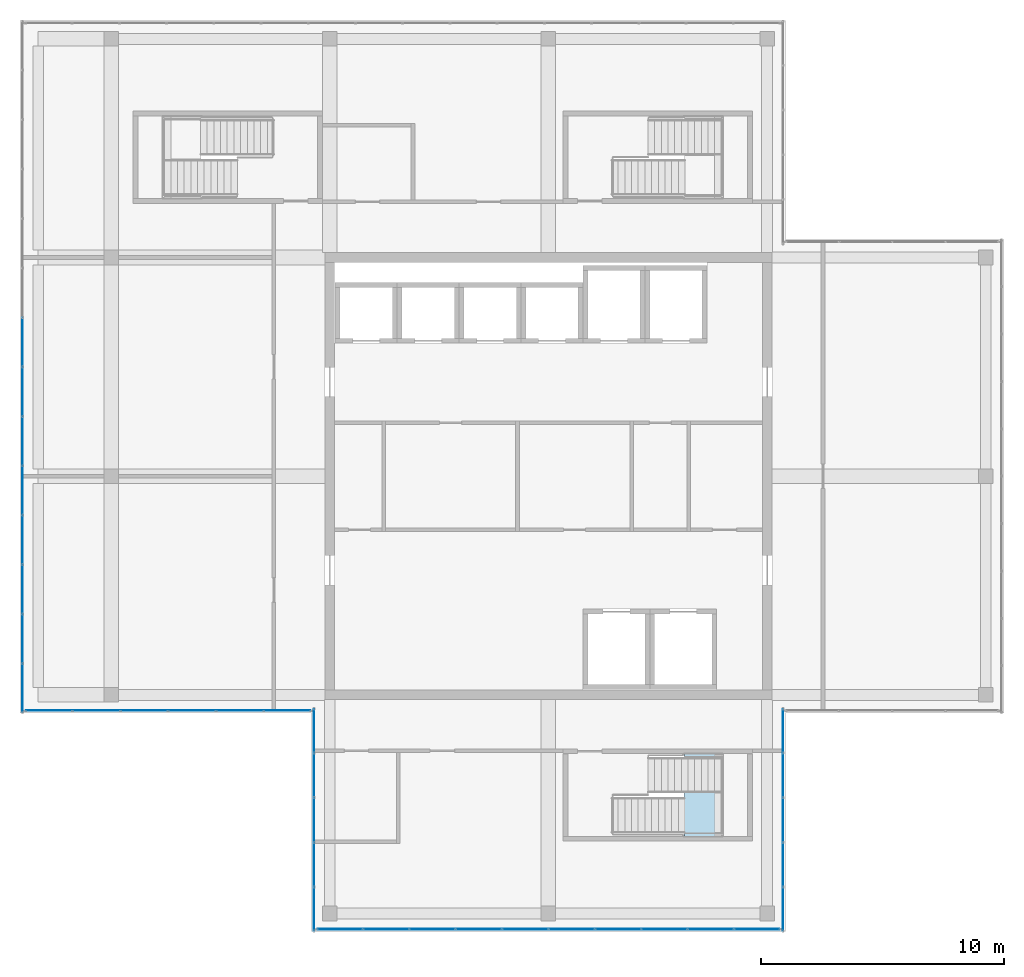
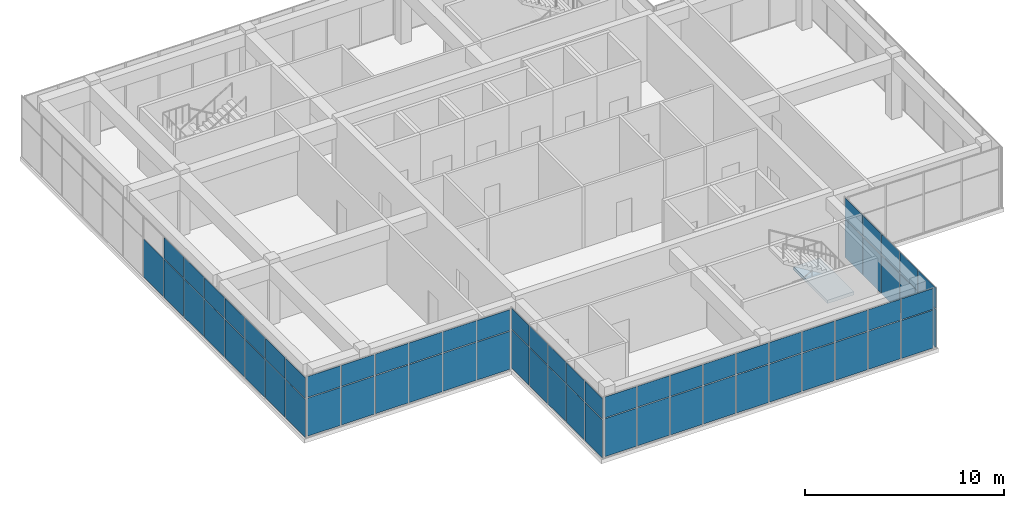
# One storey, part 29 of 35: 67 plates, 1 slab, 6 elements without a shape of their own.
"""IFC4 building model written with IfcOpenShell, lengths in metres."""

from ifc_helpers import new_model, si_unit, direction, frame, origin, origin_2d, place, context, subcontext, project, spatial, polyline, rectangle, outline, extrude, material, layer, layer_set, type_object, element, aggregate, save


model = new_model("IFC4")

# Units and contexts
model_context = context("Model", 3, precision=1e-05, world=origin(), true_north=direction((0.0, 1.0)))
body_context = subcontext(model_context, "Body", "Model", "MODEL_VIEW")
ifc_project = project(units=[si_unit("LENGTHUNIT", "METRE"), si_unit("AREAUNIT", "SQUARE_METRE"), si_unit("VOLUMEUNIT", "CUBIC_METRE"), si_unit("PLANEANGLEUNIT", "RADIAN"), si_unit("MASSUNIT", "GRAM", prefix="KILO")], contexts=[model_context])

# Site, building, storey
site_placement = place(None, origin())
site = spatial("IfcSite", under=ifc_project, at=site_placement, CompositionType="ELEMENT")
building_placement = place(site_placement, origin())
building = spatial("IfcBuilding", under=site, at=building_placement, Name="Tuart Plaza Theatre", CompositionType="ELEMENT")
storey_placement = place(building_placement, frame((0.0, 0.0, 45.5)))
storey = spatial("IfcBuildingStorey", under=building, at=storey_placement, Name="L11", CompositionType="ELEMENT", Elevation=45.5)

# Curtain wall, plates
ifc_material_1 = material(Name="Aluminium and glass", Category="aluminium")
ifc_layer_1 = layer(ifc_material_1, 0.10009765625)
ifc_layer_set_1 = layer_set([ifc_layer_1], Name="CURTAIN WALL 2000 module")
curtain_wall_type = type_object("IfcCurtainWallType", Name="CURTAIN WALL 2000 module", PredefinedType="NOTDEFINED", material=ifc_layer_set_1)
curtain_wall_1_placement = place(storey_placement, origin())
curtain_wall_1 = element("IfcCurtainWall", 1, at=curtain_wall_1_placement, inside=storey, type_object=curtain_wall_type, Name="CW100", PredefinedType="NOTDEFINED")
ifc_material_2 = material(Name="Glass", Category="glass")
ifc_layer_2 = layer(ifc_material_2, 0.028076171875)
ifc_layer_set_2 = layer_set([ifc_layer_2], Name="CURTAIN PANEL double glazed 28")
plate_type = type_object("IfcPlateType", Name="CURTAIN PANEL double glazed 28", PredefinedType="CURTAIN_PANEL", material=ifc_layer_set_2)
plate_1_placement = place(storey_placement, frame((141.64990234375, 56.1826171875, 0.0498046875), z_axis=(0.0, 0.0, 1.0), x_axis=(0.0, 1.0, 0.0)))
plate_1 = element("IfcPlate", 2, at=plate_1_placement, type_object=plate_type, Name="CW100 panel 1.1", PredefinedType="CURTAIN_PANEL", context=body_context, shape_type="SweptSolid", body=[
    extrude(rectangle(XDim=1.764892578125, YDim=0.028076171875, at=origin_2d()), origin(), (0.0, 0.0, 1.0), 2.324951171875),
])
plate_2_placement = place(storey_placement, frame((141.64990234375, 56.1826171875, 2.425048828125), z_axis=(0.0, 0.0, 1.0), x_axis=(0.0, 1.0, 0.0)))
plate_2 = element("IfcPlate", 3, at=plate_2_placement, type_object=plate_type, Name="CW100 panel 1.2", PredefinedType="CURTAIN_PANEL", context=body_context, shape_type="SweptSolid", body=[
    extrude(rectangle(XDim=1.764892578125, YDim=0.028076171875, at=origin_2d()), origin(), (0.0, 0.0, 1.0), 1.27490234375),
])
plate_3_placement = place(storey_placement, frame((141.64990234375, 58.010009765625, 0.0498046875), z_axis=(0.0, 0.0, 1.0), x_axis=(0.0, 1.0, 0.0)))
plate_3 = element("IfcPlate", 4, at=plate_3_placement, type_object=plate_type, Name="CW100 panel 2.1", PredefinedType="CURTAIN_PANEL", context=body_context, shape_type="SweptSolid", body=[
    extrude(rectangle(XDim=1.7900390625, YDim=0.028076171875, at=origin_2d()), origin(), (0.0, 0.0, 1.0), 2.324951171875),
])
plate_4_placement = place(storey_placement, frame((141.64990234375, 58.010009765625, 2.425048828125), z_axis=(0.0, 0.0, 1.0), x_axis=(0.0, 1.0, 0.0)))
plate_4 = element("IfcPlate", 5, at=plate_4_placement, type_object=plate_type, Name="CW100 panel 2.2", PredefinedType="CURTAIN_PANEL", context=body_context, shape_type="SweptSolid", body=[
    extrude(rectangle(XDim=1.7900390625, YDim=0.028076171875, at=origin_2d()), origin(), (0.0, 0.0, 1.0), 1.27490234375),
])
plate_5_placement = place(storey_placement, frame((141.64990234375, 59.85009765625, 0.0498046875), z_axis=(0.0, 0.0, 1.0), x_axis=(0.0, 1.0, 0.0)))
plate_5 = element("IfcPlate", 6, at=plate_5_placement, type_object=plate_type, Name="CW100 panel 3.1", PredefinedType="CURTAIN_PANEL", context=body_context, shape_type="SweptSolid", body=[
    extrude(rectangle(XDim=1.7900390625, YDim=0.028076171875, at=origin_2d()), origin(), (0.0, 0.0, 1.0), 2.324951171875),
])
plate_6_placement = place(storey_placement, frame((141.64990234375, 59.85009765625, 2.425048828125), z_axis=(0.0, 0.0, 1.0), x_axis=(0.0, 1.0, 0.0)))
plate_6 = element("IfcPlate", 7, at=plate_6_placement, type_object=plate_type, Name="CW100 panel 3.2", PredefinedType="CURTAIN_PANEL", context=body_context, shape_type="SweptSolid", body=[
    extrude(rectangle(XDim=1.7900390625, YDim=0.028076171875, at=origin_2d()), origin(), (0.0, 0.0, 1.0), 1.27490234375),
])
plate_7_placement = place(storey_placement, frame((141.64990234375, 61.68994140625, 0.0498046875), z_axis=(0.0, 0.0, 1.0), x_axis=(0.0, 1.0, 0.0)))
plate_7 = element("IfcPlate", 8, at=plate_7_placement, type_object=plate_type, Name="CW100 panel 4.1", PredefinedType="CURTAIN_PANEL", context=body_context, shape_type="SweptSolid", body=[
    extrude(rectangle(XDim=1.7900390625, YDim=0.028076171875, at=origin_2d()), origin(), (0.0, 0.0, 1.0), 2.324951171875),
])
plate_8_placement = place(storey_placement, frame((141.64990234375, 61.68994140625, 2.425048828125), z_axis=(0.0, 0.0, 1.0), x_axis=(0.0, 1.0, 0.0)))
plate_8 = element("IfcPlate", 9, at=plate_8_placement, type_object=plate_type, Name="CW100 panel 4.2", PredefinedType="CURTAIN_PANEL", context=body_context, shape_type="SweptSolid", body=[
    extrude(rectangle(XDim=1.7900390625, YDim=0.028076171875, at=origin_2d()), origin(), (0.0, 0.0, 1.0), 1.27490234375),
])
plate_9_placement = place(storey_placement, frame((141.64990234375, 63.517578125, 0.0498046875), z_axis=(0.0, 0.0, 1.0), x_axis=(0.0, 1.0, 0.0)))
plate_9 = element("IfcPlate", 10, at=plate_9_placement, type_object=plate_type, Name="CW100 panel 5.1", PredefinedType="CURTAIN_PANEL", context=body_context, shape_type="SweptSolid", body=[
    extrude(rectangle(XDim=1.764892578125, YDim=0.028076171875, at=origin_2d()), origin(), (0.0, 0.0, 1.0), 2.324951171875),
])
plate_10_placement = place(storey_placement, frame((141.64990234375, 63.517578125, 2.425048828125), z_axis=(0.0, 0.0, 1.0), x_axis=(0.0, 1.0, 0.0)))
plate_10 = element("IfcPlate", 11, at=plate_10_placement, type_object=plate_type, Name="CW100 panel 5.2", PredefinedType="CURTAIN_PANEL", context=body_context, shape_type="SweptSolid", body=[
    extrude(rectangle(XDim=1.764892578125, YDim=0.028076171875, at=origin_2d()), origin(), (0.0, 0.0, 1.0), 1.27490234375),
])
aggregate(curtain_wall_1, [plate_1, plate_2, plate_3, plate_4, plate_5, plate_6, plate_7, plate_8, plate_9, plate_10])

curtain_wall_2_placement = place(storey_placement, origin())
curtain_wall_2 = element("IfcCurtainWall", 12, at=curtain_wall_2_placement, inside=storey, type_object=curtain_wall_type, Name="CW106", PredefinedType="NOTDEFINED")
plate_11_placement = place(storey_placement, frame((110.35009765625, 79.517822265625, 0.0498046875), z_axis=(0.0, 0.0, 1.0), x_axis=(0.0, -1.0, 0.0)))
plate_11 = element("IfcPlate", 13, at=plate_11_placement, type_object=plate_type, Name="CW106 panel 7.1", PredefinedType="CURTAIN_PANEL", context=body_context, shape_type="SweptSolid", body=[
    extrude(rectangle(XDim=1.985595703125, YDim=0.028076171875, at=origin_2d()), origin(), (0.0, 0.0, 1.0), 2.324951171875),
])
plate_12_placement = place(storey_placement, frame((110.35009765625, 77.482177734375, 0.0498046875), z_axis=(0.0, 0.0, 1.0), x_axis=(0.0, -1.0, 0.0)))
plate_12 = element("IfcPlate", 14, at=plate_12_placement, type_object=plate_type, Name="CW106 panel 8.1", PredefinedType="CURTAIN_PANEL", context=body_context, shape_type="SweptSolid", body=[
    extrude(rectangle(XDim=1.985595703125, YDim=0.028076171875, at=origin_2d()), origin(), (0.0, 0.0, 1.0), 2.324951171875),
])
plate_13_placement = place(storey_placement, frame((110.35009765625, 77.482177734375, 2.425048828125), z_axis=(0.0, 0.0, 1.0), x_axis=(0.0, -1.0, 0.0)))
plate_13 = element("IfcPlate", 15, at=plate_13_placement, type_object=plate_type, Name="CW106 panel 8.2", PredefinedType="CURTAIN_PANEL", context=body_context, shape_type="SweptSolid", body=[
    extrude(rectangle(XDim=1.985595703125, YDim=0.028076171875, at=origin_2d()), origin(), (0.0, 0.0, 1.0), 1.27490234375),
])
plate_14_placement = place(storey_placement, frame((110.35009765625, 75.446533203125, 0.0498046875), z_axis=(0.0, 0.0, 1.0), x_axis=(0.0, -1.0, 0.0)))
plate_14 = element("IfcPlate", 16, at=plate_14_placement, type_object=plate_type, Name="CW106 panel 9.1", PredefinedType="CURTAIN_PANEL", context=body_context, shape_type="SweptSolid", body=[
    extrude(rectangle(XDim=1.985595703125, YDim=0.028076171875, at=origin_2d()), origin(), (0.0, 0.0, 1.0), 2.324951171875),
])
plate_15_placement = place(storey_placement, frame((110.35009765625, 75.446533203125, 2.425048828125), z_axis=(0.0, 0.0, 1.0), x_axis=(0.0, -1.0, 0.0)))
plate_15 = element("IfcPlate", 17, at=plate_15_placement, type_object=plate_type, Name="CW106 panel 9.2", PredefinedType="CURTAIN_PANEL", context=body_context, shape_type="SweptSolid", body=[
    extrude(rectangle(XDim=1.985595703125, YDim=0.028076171875, at=origin_2d()), origin(), (0.0, 0.0, 1.0), 1.27490234375),
])
plate_16_placement = place(storey_placement, frame((110.35009765625, 73.41064453125, 0.0498046875), z_axis=(0.0, 0.0, 1.0), x_axis=(0.0, -1.0, 0.0)))
plate_16 = element("IfcPlate", 18, at=plate_16_placement, type_object=plate_type, Name="CW106 panel 10.1", PredefinedType="CURTAIN_PANEL", context=body_context, shape_type="SweptSolid", body=[
    extrude(rectangle(XDim=1.985595703125, YDim=0.028076171875, at=origin_2d()), origin(), (0.0, 0.0, 1.0), 2.324951171875),
])
plate_17_placement = place(storey_placement, frame((110.35009765625, 73.41064453125, 2.425048828125), z_axis=(0.0, 0.0, 1.0), x_axis=(0.0, -1.0, 0.0)))
plate_17 = element("IfcPlate", 19, at=plate_17_placement, type_object=plate_type, Name="CW106 panel 10.2", PredefinedType="CURTAIN_PANEL", context=body_context, shape_type="SweptSolid", body=[
    extrude(rectangle(XDim=1.985595703125, YDim=0.028076171875, at=origin_2d()), origin(), (0.0, 0.0, 1.0), 1.27490234375),
])
plate_18_placement = place(storey_placement, frame((110.35009765625, 71.375, 0.0498046875), z_axis=(0.0, 0.0, 1.0), x_axis=(0.0, -1.0, 0.0)))
plate_18 = element("IfcPlate", 20, at=plate_18_placement, type_object=plate_type, Name="CW106 panel 11.1", PredefinedType="CURTAIN_PANEL", context=body_context, shape_type="SweptSolid", body=[
    extrude(rectangle(XDim=1.985595703125, YDim=0.028076171875, at=origin_2d()), origin(), (0.0, 0.0, 1.0), 2.324951171875),
])
plate_19_placement = place(storey_placement, frame((110.35009765625, 71.375, 2.425048828125), z_axis=(0.0, 0.0, 1.0), x_axis=(0.0, -1.0, 0.0)))
plate_19 = element("IfcPlate", 21, at=plate_19_placement, type_object=plate_type, Name="CW106 panel 11.2", PredefinedType="CURTAIN_PANEL", context=body_context, shape_type="SweptSolid", body=[
    extrude(rectangle(XDim=1.985595703125, YDim=0.028076171875, at=origin_2d()), origin(), (0.0, 0.0, 1.0), 1.27490234375),
])
plate_20_placement = place(storey_placement, frame((110.35009765625, 69.33935546875, 0.0498046875), z_axis=(0.0, 0.0, 1.0), x_axis=(0.0, -1.0, 0.0)))
plate_20 = element("IfcPlate", 22, at=plate_20_placement, type_object=plate_type, Name="CW106 panel 12.1", PredefinedType="CURTAIN_PANEL", context=body_context, shape_type="SweptSolid", body=[
    extrude(rectangle(XDim=1.985595703125, YDim=0.028076171875, at=origin_2d()), origin(), (0.0, 0.0, 1.0), 2.324951171875),
])
plate_21_placement = place(storey_placement, frame((110.35009765625, 69.33935546875, 2.425048828125), z_axis=(0.0, 0.0, 1.0), x_axis=(0.0, -1.0, 0.0)))
plate_21 = element("IfcPlate", 23, at=plate_21_placement, type_object=plate_type, Name="CW106 panel 12.2", PredefinedType="CURTAIN_PANEL", context=body_context, shape_type="SweptSolid", body=[
    extrude(rectangle(XDim=1.985595703125, YDim=0.028076171875, at=origin_2d()), origin(), (0.0, 0.0, 1.0), 1.27490234375),
])
plate_22_placement = place(storey_placement, frame((110.35009765625, 67.303466796875, 0.0498046875), z_axis=(0.0, 0.0, 1.0), x_axis=(0.0, -1.0, 0.0)))
plate_22 = element("IfcPlate", 24, at=plate_22_placement, type_object=plate_type, Name="CW106 panel 13.1", PredefinedType="CURTAIN_PANEL", context=body_context, shape_type="SweptSolid", body=[
    extrude(rectangle(XDim=1.985595703125, YDim=0.028076171875, at=origin_2d()), origin(), (0.0, 0.0, 1.0), 2.324951171875),
])
plate_23_placement = place(storey_placement, frame((110.35009765625, 67.303466796875, 2.425048828125), z_axis=(0.0, 0.0, 1.0), x_axis=(0.0, -1.0, 0.0)))
plate_23 = element("IfcPlate", 25, at=plate_23_placement, type_object=plate_type, Name="CW106 panel 13.2", PredefinedType="CURTAIN_PANEL", context=body_context, shape_type="SweptSolid", body=[
    extrude(rectangle(XDim=1.985595703125, YDim=0.028076171875, at=origin_2d()), origin(), (0.0, 0.0, 1.0), 1.27490234375),
])
plate_24_placement = place(storey_placement, frame((110.35009765625, 65.2802734375, 0.0498046875), z_axis=(0.0, 0.0, 1.0), x_axis=(0.0, -1.0, 0.0)))
plate_24 = element("IfcPlate", 26, at=plate_24_placement, type_object=plate_type, Name="CW106 panel 14.1", PredefinedType="CURTAIN_PANEL", context=body_context, shape_type="SweptSolid", body=[
    extrude(rectangle(XDim=1.960693359375, YDim=0.028076171875, at=origin_2d()), origin(), (0.0, 0.0, 1.0), 2.324951171875),
])
plate_25_placement = place(storey_placement, frame((110.35009765625, 65.2802734375, 2.425048828125), z_axis=(0.0, 0.0, 1.0), x_axis=(0.0, -1.0, 0.0)))
plate_25 = element("IfcPlate", 27, at=plate_25_placement, type_object=plate_type, Name="CW106 panel 14.2", PredefinedType="CURTAIN_PANEL", context=body_context, shape_type="SweptSolid", body=[
    extrude(rectangle(XDim=1.960693359375, YDim=0.028076171875, at=origin_2d()), origin(), (0.0, 0.0, 1.0), 1.27490234375),
])
aggregate(curtain_wall_2, [plate_11, plate_12, plate_13, plate_14, plate_15, plate_16, plate_17, plate_18, plate_19, plate_20, plate_21, plate_22, plate_23, plate_24, plate_25])

curtain_wall_3_placement = place(storey_placement, origin())
curtain_wall_3 = element("IfcCurtainWall", 28, at=curtain_wall_3_placement, inside=storey, type_object=curtain_wall_type, Name="CW108", PredefinedType="NOTDEFINED")
plate_26_placement = place(storey_placement, frame((111.44580078125, 64.35009765625, 0.0498046875), z_axis=(0.0, 0.0, 1.0), x_axis=(1.0, 0.0, 0.0)))
plate_26 = element("IfcPlate", 29, at=plate_26_placement, type_object=plate_type, Name="CW108 panel 1.1", PredefinedType="CURTAIN_PANEL", context=body_context, shape_type="SweptSolid", body=[
    extrude(rectangle(XDim=1.8916015625, YDim=0.028076171875, at=origin_2d()), origin(), (0.0, 0.0, 1.0), 2.324951171875),
])
plate_27_placement = place(storey_placement, frame((111.44580078125, 64.35009765625, 2.425048828125), z_axis=(0.0, 0.0, 1.0), x_axis=(1.0, 0.0, 0.0)))
plate_27 = element("IfcPlate", 30, at=plate_27_placement, type_object=plate_type, Name="CW108 panel 1.2", PredefinedType="CURTAIN_PANEL", context=body_context, shape_type="SweptSolid", body=[
    extrude(rectangle(XDim=1.8916015625, YDim=0.028076171875, at=origin_2d()), origin(), (0.0, 0.0, 1.0), 1.27490234375),
])
plate_28_placement = place(storey_placement, frame((113.39990234375, 64.35009765625, 0.0498046875), z_axis=(0.0, 0.0, 1.0), x_axis=(1.0, 0.0, 0.0)))
plate_28 = element("IfcPlate", 31, at=plate_28_placement, type_object=plate_type, Name="CW108 panel 2.1", PredefinedType="CURTAIN_PANEL", context=body_context, shape_type="SweptSolid", body=[
    extrude(rectangle(XDim=1.916748046875, YDim=0.028076171875, at=origin_2d()), origin(), (0.0, 0.0, 1.0), 2.324951171875),
])
plate_29_placement = place(storey_placement, frame((113.39990234375, 64.35009765625, 2.425048828125), z_axis=(0.0, 0.0, 1.0), x_axis=(1.0, 0.0, 0.0)))
plate_29 = element("IfcPlate", 32, at=plate_29_placement, type_object=plate_type, Name="CW108 panel 2.2", PredefinedType="CURTAIN_PANEL", context=body_context, shape_type="SweptSolid", body=[
    extrude(rectangle(XDim=1.916748046875, YDim=0.028076171875, at=origin_2d()), origin(), (0.0, 0.0, 1.0), 1.27490234375),
])
plate_30_placement = place(storey_placement, frame((115.36669921875, 64.35009765625, 0.0498046875), z_axis=(0.0, 0.0, 1.0), x_axis=(1.0, 0.0, 0.0)))
plate_30 = element("IfcPlate", 33, at=plate_30_placement, type_object=plate_type, Name="CW108 panel 3.1", PredefinedType="CURTAIN_PANEL", context=body_context, shape_type="SweptSolid", body=[
    extrude(rectangle(XDim=1.916748046875, YDim=0.028076171875, at=origin_2d()), origin(), (0.0, 0.0, 1.0), 2.324951171875),
])
plate_31_placement = place(storey_placement, frame((115.36669921875, 64.35009765625, 2.425048828125), z_axis=(0.0, 0.0, 1.0), x_axis=(1.0, 0.0, 0.0)))
plate_31 = element("IfcPlate", 34, at=plate_31_placement, type_object=plate_type, Name="CW108 panel 3.2", PredefinedType="CURTAIN_PANEL", context=body_context, shape_type="SweptSolid", body=[
    extrude(rectangle(XDim=1.916748046875, YDim=0.028076171875, at=origin_2d()), origin(), (0.0, 0.0, 1.0), 1.27490234375),
])
plate_32_placement = place(storey_placement, frame((117.333251953125, 64.35009765625, 0.0498046875), z_axis=(0.0, 0.0, 1.0), x_axis=(1.0, 0.0, 0.0)))
plate_32 = element("IfcPlate", 35, at=plate_32_placement, type_object=plate_type, Name="CW108 panel 4.1", PredefinedType="CURTAIN_PANEL", context=body_context, shape_type="SweptSolid", body=[
    extrude(rectangle(XDim=1.916748046875, YDim=0.028076171875, at=origin_2d()), origin(), (0.0, 0.0, 1.0), 2.324951171875),
])
plate_33_placement = place(storey_placement, frame((117.333251953125, 64.35009765625, 2.425048828125), z_axis=(0.0, 0.0, 1.0), x_axis=(1.0, 0.0, 0.0)))
plate_33 = element("IfcPlate", 36, at=plate_33_placement, type_object=plate_type, Name="CW108 panel 4.2", PredefinedType="CURTAIN_PANEL", context=body_context, shape_type="SweptSolid", body=[
    extrude(rectangle(XDim=1.916748046875, YDim=0.028076171875, at=origin_2d()), origin(), (0.0, 0.0, 1.0), 1.27490234375),
])
plate_34_placement = place(storey_placement, frame((119.300048828125, 64.35009765625, 0.0498046875), z_axis=(0.0, 0.0, 1.0), x_axis=(1.0, 0.0, 0.0)))
plate_34 = element("IfcPlate", 37, at=plate_34_placement, type_object=plate_type, Name="CW108 panel 5.1", PredefinedType="CURTAIN_PANEL", context=body_context, shape_type="SweptSolid", body=[
    extrude(rectangle(XDim=1.916748046875, YDim=0.028076171875, at=origin_2d()), origin(), (0.0, 0.0, 1.0), 2.324951171875),
])
plate_35_placement = place(storey_placement, frame((119.300048828125, 64.35009765625, 2.425048828125), z_axis=(0.0, 0.0, 1.0), x_axis=(1.0, 0.0, 0.0)))
plate_35 = element("IfcPlate", 38, at=plate_35_placement, type_object=plate_type, Name="CW108 panel 5.2", PredefinedType="CURTAIN_PANEL", context=body_context, shape_type="SweptSolid", body=[
    extrude(rectangle(XDim=1.916748046875, YDim=0.028076171875, at=origin_2d()), origin(), (0.0, 0.0, 1.0), 1.27490234375),
])
plate_36_placement = place(storey_placement, frame((121.254150390625, 64.35009765625, 0.0498046875), z_axis=(0.0, 0.0, 1.0), x_axis=(1.0, 0.0, 0.0)))
plate_36 = element("IfcPlate", 39, at=plate_36_placement, type_object=plate_type, Name="CW108 panel 6.1", PredefinedType="CURTAIN_PANEL", context=body_context, shape_type="SweptSolid", body=[
    extrude(rectangle(XDim=1.8916015625, YDim=0.028076171875, at=origin_2d()), origin(), (0.0, 0.0, 1.0), 2.324951171875),
])
plate_37_placement = place(storey_placement, frame((121.254150390625, 64.35009765625, 2.425048828125), z_axis=(0.0, 0.0, 1.0), x_axis=(1.0, 0.0, 0.0)))
plate_37 = element("IfcPlate", 40, at=plate_37_placement, type_object=plate_type, Name="CW108 panel 6.2", PredefinedType="CURTAIN_PANEL", context=body_context, shape_type="SweptSolid", body=[
    extrude(rectangle(XDim=1.8916015625, YDim=0.028076171875, at=origin_2d()), origin(), (0.0, 0.0, 1.0), 1.27490234375),
])
aggregate(curtain_wall_3, [plate_26, plate_27, plate_28, plate_29, plate_30, plate_31, plate_32, plate_33, plate_34, plate_35, plate_36, plate_37])

curtain_wall_4_placement = place(storey_placement, origin())
curtain_wall_4 = element("IfcCurtainWall", 41, at=curtain_wall_4_placement, inside=storey, type_object=curtain_wall_type, Name="CW110", PredefinedType="NOTDEFINED")
plate_38_placement = place(storey_placement, frame((122.35009765625, 63.517578125, 0.0498046875), z_axis=(0.0, 0.0, 1.0), x_axis=(0.0, -1.0, 0.0)))
plate_38 = element("IfcPlate", 42, at=plate_38_placement, type_object=plate_type, Name="CW110 panel 1.1", PredefinedType="CURTAIN_PANEL", context=body_context, shape_type="SweptSolid", body=[
    extrude(rectangle(XDim=1.764892578125, YDim=0.028076171875, at=origin_2d()), origin(), (0.0, 0.0, 1.0), 2.324951171875),
])
plate_39_placement = place(storey_placement, frame((122.35009765625, 63.517578125, 2.425048828125), z_axis=(0.0, 0.0, 1.0), x_axis=(0.0, -1.0, 0.0)))
plate_39 = element("IfcPlate", 43, at=plate_39_placement, type_object=plate_type, Name="CW110 panel 1.2", PredefinedType="CURTAIN_PANEL", context=body_context, shape_type="SweptSolid", body=[
    extrude(rectangle(XDim=1.764892578125, YDim=0.028076171875, at=origin_2d()), origin(), (0.0, 0.0, 1.0), 1.27490234375),
])
plate_40_placement = place(storey_placement, frame((122.35009765625, 61.68994140625, 0.0498046875), z_axis=(0.0, 0.0, 1.0), x_axis=(0.0, -1.0, 0.0)))
plate_40 = element("IfcPlate", 44, at=plate_40_placement, type_object=plate_type, Name="CW110 panel 2.1", PredefinedType="CURTAIN_PANEL", context=body_context, shape_type="SweptSolid", body=[
    extrude(rectangle(XDim=1.7900390625, YDim=0.028076171875, at=origin_2d()), origin(), (0.0, 0.0, 1.0), 2.324951171875),
])
plate_41_placement = place(storey_placement, frame((122.35009765625, 61.68994140625, 2.425048828125), z_axis=(0.0, 0.0, 1.0), x_axis=(0.0, -1.0, 0.0)))
plate_41 = element("IfcPlate", 45, at=plate_41_placement, type_object=plate_type, Name="CW110 panel 2.2", PredefinedType="CURTAIN_PANEL", context=body_context, shape_type="SweptSolid", body=[
    extrude(rectangle(XDim=1.7900390625, YDim=0.028076171875, at=origin_2d()), origin(), (0.0, 0.0, 1.0), 1.27490234375),
])
plate_42_placement = place(storey_placement, frame((122.35009765625, 59.85009765625, 0.0498046875), z_axis=(0.0, 0.0, 1.0), x_axis=(0.0, -1.0, 0.0)))
plate_42 = element("IfcPlate", 46, at=plate_42_placement, type_object=plate_type, Name="CW110 panel 3.1", PredefinedType="CURTAIN_PANEL", context=body_context, shape_type="SweptSolid", body=[
    extrude(rectangle(XDim=1.7900390625, YDim=0.028076171875, at=origin_2d()), origin(), (0.0, 0.0, 1.0), 2.324951171875),
])
plate_43_placement = place(storey_placement, frame((122.35009765625, 59.85009765625, 2.425048828125), z_axis=(0.0, 0.0, 1.0), x_axis=(0.0, -1.0, 0.0)))
plate_43 = element("IfcPlate", 47, at=plate_43_placement, type_object=plate_type, Name="CW110 panel 3.2", PredefinedType="CURTAIN_PANEL", context=body_context, shape_type="SweptSolid", body=[
    extrude(rectangle(XDim=1.7900390625, YDim=0.028076171875, at=origin_2d()), origin(), (0.0, 0.0, 1.0), 1.27490234375),
])
plate_44_placement = place(storey_placement, frame((122.35009765625, 58.010009765625, 0.0498046875), z_axis=(0.0, 0.0, 1.0), x_axis=(0.0, -1.0, 0.0)))
plate_44 = element("IfcPlate", 48, at=plate_44_placement, type_object=plate_type, Name="CW110 panel 4.1", PredefinedType="CURTAIN_PANEL", context=body_context, shape_type="SweptSolid", body=[
    extrude(rectangle(XDim=1.7900390625, YDim=0.028076171875, at=origin_2d()), origin(), (0.0, 0.0, 1.0), 2.324951171875),
])
plate_45_placement = place(storey_placement, frame((122.35009765625, 58.010009765625, 2.425048828125), z_axis=(0.0, 0.0, 1.0), x_axis=(0.0, -1.0, 0.0)))
plate_45 = element("IfcPlate", 49, at=plate_45_placement, type_object=plate_type, Name="CW110 panel 4.2", PredefinedType="CURTAIN_PANEL", context=body_context, shape_type="SweptSolid", body=[
    extrude(rectangle(XDim=1.7900390625, YDim=0.028076171875, at=origin_2d()), origin(), (0.0, 0.0, 1.0), 1.27490234375),
])
plate_46_placement = place(storey_placement, frame((122.35009765625, 56.1826171875, 0.0498046875), z_axis=(0.0, 0.0, 1.0), x_axis=(0.0, -1.0, 0.0)))
plate_46 = element("IfcPlate", 50, at=plate_46_placement, type_object=plate_type, Name="CW110 panel 5.1", PredefinedType="CURTAIN_PANEL", context=body_context, shape_type="SweptSolid", body=[
    extrude(rectangle(XDim=1.764892578125, YDim=0.028076171875, at=origin_2d()), origin(), (0.0, 0.0, 1.0), 2.324951171875),
])
plate_47_placement = place(storey_placement, frame((122.35009765625, 56.1826171875, 2.425048828125), z_axis=(0.0, 0.0, 1.0), x_axis=(0.0, -1.0, 0.0)))
plate_47 = element("IfcPlate", 51, at=plate_47_placement, type_object=plate_type, Name="CW110 panel 5.2", PredefinedType="CURTAIN_PANEL", context=body_context, shape_type="SweptSolid", body=[
    extrude(rectangle(XDim=1.764892578125, YDim=0.028076171875, at=origin_2d()), origin(), (0.0, 0.0, 1.0), 1.27490234375),
])
aggregate(curtain_wall_4, [plate_38, plate_39, plate_40, plate_41, plate_42, plate_43, plate_44, plate_45, plate_46, plate_47])

curtain_wall_5_placement = place(storey_placement, origin())
curtain_wall_5 = element("IfcCurtainWall", 52, at=curtain_wall_5_placement, inside=storey, type_object=curtain_wall_type, Name="CW111", PredefinedType="NOTDEFINED")
plate_48_placement = place(storey_placement, frame((123.41748046875, 55.35009765625, 0.0498046875), z_axis=(0.0, 0.0, 1.0), x_axis=(1.0, 0.0, 0.0)))
plate_48 = element("IfcPlate", 53, at=plate_48_placement, type_object=plate_type, Name="CW111 panel 1.1", PredefinedType="CURTAIN_PANEL", context=body_context, shape_type="SweptSolid", body=[
    extrude(rectangle(XDim=1.8349609375, YDim=0.028076171875, at=origin_2d()), origin(), (0.0, 0.0, 1.0), 2.324951171875),
])
plate_49_placement = place(storey_placement, frame((123.41748046875, 55.35009765625, 2.425048828125), z_axis=(0.0, 0.0, 1.0), x_axis=(1.0, 0.0, 0.0)))
plate_49 = element("IfcPlate", 54, at=plate_49_placement, type_object=plate_type, Name="CW111 panel 1.2", PredefinedType="CURTAIN_PANEL", context=body_context, shape_type="SweptSolid", body=[
    extrude(rectangle(XDim=1.8349609375, YDim=0.028076171875, at=origin_2d()), origin(), (0.0, 0.0, 1.0), 1.27490234375),
])
plate_50_placement = place(storey_placement, frame((125.31494140625, 55.35009765625, 0.0498046875), z_axis=(0.0, 0.0, 1.0), x_axis=(1.0, 0.0, 0.0)))
plate_50 = element("IfcPlate", 55, at=plate_50_placement, type_object=plate_type, Name="CW111 panel 2.1", PredefinedType="CURTAIN_PANEL", context=body_context, shape_type="SweptSolid", body=[
    extrude(rectangle(XDim=1.860107421875, YDim=0.028076171875, at=origin_2d()), origin(), (0.0, 0.0, 1.0), 2.324951171875),
])
plate_51_placement = place(storey_placement, frame((125.31494140625, 55.35009765625, 2.425048828125), z_axis=(0.0, 0.0, 1.0), x_axis=(1.0, 0.0, 0.0)))
plate_51 = element("IfcPlate", 56, at=plate_51_placement, type_object=plate_type, Name="CW111 panel 2.2", PredefinedType="CURTAIN_PANEL", context=body_context, shape_type="SweptSolid", body=[
    extrude(rectangle(XDim=1.860107421875, YDim=0.028076171875, at=origin_2d()), origin(), (0.0, 0.0, 1.0), 1.27490234375),
])
plate_52_placement = place(storey_placement, frame((127.22509765625, 55.35009765625, 0.0498046875), z_axis=(0.0, 0.0, 1.0), x_axis=(1.0, 0.0, 0.0)))
plate_52 = element("IfcPlate", 57, at=plate_52_placement, type_object=plate_type, Name="CW111 panel 3.1", PredefinedType="CURTAIN_PANEL", context=body_context, shape_type="SweptSolid", body=[
    extrude(rectangle(XDim=1.860107421875, YDim=0.028076171875, at=origin_2d()), origin(), (0.0, 0.0, 1.0), 2.324951171875),
])
plate_53_placement = place(storey_placement, frame((127.22509765625, 55.35009765625, 2.425048828125), z_axis=(0.0, 0.0, 1.0), x_axis=(1.0, 0.0, 0.0)))
plate_53 = element("IfcPlate", 58, at=plate_53_placement, type_object=plate_type, Name="CW111 panel 3.2", PredefinedType="CURTAIN_PANEL", context=body_context, shape_type="SweptSolid", body=[
    extrude(rectangle(XDim=1.860107421875, YDim=0.028076171875, at=origin_2d()), origin(), (0.0, 0.0, 1.0), 1.27490234375),
])
plate_54_placement = place(storey_placement, frame((129.135009765625, 55.35009765625, 0.0498046875), z_axis=(0.0, 0.0, 1.0), x_axis=(1.0, 0.0, 0.0)))
plate_54 = element("IfcPlate", 59, at=plate_54_placement, type_object=plate_type, Name="CW111 panel 4.1", PredefinedType="CURTAIN_PANEL", context=body_context, shape_type="SweptSolid", body=[
    extrude(rectangle(XDim=1.860107421875, YDim=0.028076171875, at=origin_2d()), origin(), (0.0, 0.0, 1.0), 2.324951171875),
])
plate_55_placement = place(storey_placement, frame((129.135009765625, 55.35009765625, 2.425048828125), z_axis=(0.0, 0.0, 1.0), x_axis=(1.0, 0.0, 0.0)))
plate_55 = element("IfcPlate", 60, at=plate_55_placement, type_object=plate_type, Name="CW111 panel 4.2", PredefinedType="CURTAIN_PANEL", context=body_context, shape_type="SweptSolid", body=[
    extrude(rectangle(XDim=1.860107421875, YDim=0.028076171875, at=origin_2d()), origin(), (0.0, 0.0, 1.0), 1.27490234375),
])
plate_56_placement = place(storey_placement, frame((131.044921875, 55.35009765625, 0.0498046875), z_axis=(0.0, 0.0, 1.0), x_axis=(1.0, 0.0, 0.0)))
plate_56 = element("IfcPlate", 61, at=plate_56_placement, type_object=plate_type, Name="CW111 panel 5.1", PredefinedType="CURTAIN_PANEL", context=body_context, shape_type="SweptSolid", body=[
    extrude(rectangle(XDim=1.860107421875, YDim=0.028076171875, at=origin_2d()), origin(), (0.0, 0.0, 1.0), 2.324951171875),
])
plate_57_placement = place(storey_placement, frame((131.044921875, 55.35009765625, 2.425048828125), z_axis=(0.0, 0.0, 1.0), x_axis=(1.0, 0.0, 0.0)))
plate_57 = element("IfcPlate", 62, at=plate_57_placement, type_object=plate_type, Name="CW111 panel 5.2", PredefinedType="CURTAIN_PANEL", context=body_context, shape_type="SweptSolid", body=[
    extrude(rectangle(XDim=1.860107421875, YDim=0.028076171875, at=origin_2d()), origin(), (0.0, 0.0, 1.0), 1.27490234375),
])
plate_58_placement = place(storey_placement, frame((132.955078125, 55.35009765625, 0.0498046875), z_axis=(0.0, 0.0, 1.0), x_axis=(1.0, 0.0, 0.0)))
plate_58 = element("IfcPlate", 63, at=plate_58_placement, type_object=plate_type, Name="CW111 panel 6.1", PredefinedType="CURTAIN_PANEL", context=body_context, shape_type="SweptSolid", body=[
    extrude(rectangle(XDim=1.860107421875, YDim=0.028076171875, at=origin_2d()), origin(), (0.0, 0.0, 1.0), 2.324951171875),
])
plate_59_placement = place(storey_placement, frame((132.955078125, 55.35009765625, 2.425048828125), z_axis=(0.0, 0.0, 1.0), x_axis=(1.0, 0.0, 0.0)))
plate_59 = element("IfcPlate", 64, at=plate_59_placement, type_object=plate_type, Name="CW111 panel 6.2", PredefinedType="CURTAIN_PANEL", context=body_context, shape_type="SweptSolid", body=[
    extrude(rectangle(XDim=1.860107421875, YDim=0.028076171875, at=origin_2d()), origin(), (0.0, 0.0, 1.0), 1.27490234375),
])
plate_60_placement = place(storey_placement, frame((134.864990234375, 55.35009765625, 0.0498046875), z_axis=(0.0, 0.0, 1.0), x_axis=(1.0, 0.0, 0.0)))
plate_60 = element("IfcPlate", 65, at=plate_60_placement, type_object=plate_type, Name="CW111 panel 7.1", PredefinedType="CURTAIN_PANEL", context=body_context, shape_type="SweptSolid", body=[
    extrude(rectangle(XDim=1.860107421875, YDim=0.028076171875, at=origin_2d()), origin(), (0.0, 0.0, 1.0), 2.324951171875),
])
plate_61_placement = place(storey_placement, frame((134.864990234375, 55.35009765625, 2.425048828125), z_axis=(0.0, 0.0, 1.0), x_axis=(1.0, 0.0, 0.0)))
plate_61 = element("IfcPlate", 66, at=plate_61_placement, type_object=plate_type, Name="CW111 panel 7.2", PredefinedType="CURTAIN_PANEL", context=body_context, shape_type="SweptSolid", body=[
    extrude(rectangle(XDim=1.860107421875, YDim=0.028076171875, at=origin_2d()), origin(), (0.0, 0.0, 1.0), 1.27490234375),
])
plate_62_placement = place(storey_placement, frame((136.77490234375, 55.35009765625, 0.0498046875), z_axis=(0.0, 0.0, 1.0), x_axis=(1.0, 0.0, 0.0)))
plate_62 = element("IfcPlate", 67, at=plate_62_placement, type_object=plate_type, Name="CW111 panel 8.1", PredefinedType="CURTAIN_PANEL", context=body_context, shape_type="SweptSolid", body=[
    extrude(rectangle(XDim=1.860107421875, YDim=0.028076171875, at=origin_2d()), origin(), (0.0, 0.0, 1.0), 2.324951171875),
])
plate_63_placement = place(storey_placement, frame((136.77490234375, 55.35009765625, 2.425048828125), z_axis=(0.0, 0.0, 1.0), x_axis=(1.0, 0.0, 0.0)))
plate_63 = element("IfcPlate", 68, at=plate_63_placement, type_object=plate_type, Name="CW111 panel 8.2", PredefinedType="CURTAIN_PANEL", context=body_context, shape_type="SweptSolid", body=[
    extrude(rectangle(XDim=1.860107421875, YDim=0.028076171875, at=origin_2d()), origin(), (0.0, 0.0, 1.0), 1.27490234375),
])
plate_64_placement = place(storey_placement, frame((138.68505859375, 55.35009765625, 0.0498046875), z_axis=(0.0, 0.0, 1.0), x_axis=(1.0, 0.0, 0.0)))
plate_64 = element("IfcPlate", 69, at=plate_64_placement, type_object=plate_type, Name="CW111 panel 9.1", PredefinedType="CURTAIN_PANEL", context=body_context, shape_type="SweptSolid", body=[
    extrude(rectangle(XDim=1.860107421875, YDim=0.028076171875, at=origin_2d()), origin(), (0.0, 0.0, 1.0), 2.324951171875),
])
plate_65_placement = place(storey_placement, frame((138.68505859375, 55.35009765625, 2.425048828125), z_axis=(0.0, 0.0, 1.0), x_axis=(1.0, 0.0, 0.0)))
plate_65 = element("IfcPlate", 70, at=plate_65_placement, type_object=plate_type, Name="CW111 panel 9.2", PredefinedType="CURTAIN_PANEL", context=body_context, shape_type="SweptSolid", body=[
    extrude(rectangle(XDim=1.860107421875, YDim=0.028076171875, at=origin_2d()), origin(), (0.0, 0.0, 1.0), 1.27490234375),
])
plate_66_placement = place(storey_placement, frame((140.58251953125, 55.35009765625, 0.0498046875), z_axis=(0.0, 0.0, 1.0), x_axis=(1.0, 0.0, 0.0)))
plate_66 = element("IfcPlate", 71, at=plate_66_placement, type_object=plate_type, Name="CW111 panel 10.1", PredefinedType="CURTAIN_PANEL", context=body_context, shape_type="SweptSolid", body=[
    extrude(rectangle(XDim=1.8349609375, YDim=0.028076171875, at=origin_2d()), origin(), (0.0, 0.0, 1.0), 2.324951171875),
])
plate_67_placement = place(storey_placement, frame((140.58251953125, 55.35009765625, 2.425048828125), z_axis=(0.0, 0.0, 1.0), x_axis=(1.0, 0.0, 0.0)))
plate_67 = element("IfcPlate", 72, at=plate_67_placement, type_object=plate_type, Name="CW111 panel 10.2", PredefinedType="CURTAIN_PANEL", context=body_context, shape_type="SweptSolid", body=[
    extrude(rectangle(XDim=1.8349609375, YDim=0.028076171875, at=origin_2d()), origin(), (0.0, 0.0, 1.0), 1.27490234375),
])
aggregate(curtain_wall_5, [plate_48, plate_49, plate_50, plate_51, plate_52, plate_53, plate_54, plate_55, plate_56, plate_57, plate_58, plate_59, plate_60, plate_61, plate_62, plate_63, plate_64, plate_65, plate_66, plate_67])

# Stair, slab
ifc_material_3 = material(Name="Concrete N40 (40 MPa)", Category="concrete")
stair_type = type_object("IfcStairType", Name="STAIR half turn 1500", PredefinedType="HALF_TURN_STAIR", material=ifc_material_3)
stair_placement = place(storey_placement, origin())
stair = element("IfcStair", 73, at=stair_placement, inside=storey, type_object=stair_type, Name="SC-5", PredefinedType="HALF_TURN_STAIR")
ifc_material_4 = material(Name="Concrete N40 (40 MPa)", Category="concrete")
ifc_layer_3 = layer(ifc_material_4, 0.199951171875)
ifc_layer_set_3 = layer_set([ifc_layer_3], Name="STAIR LANDING 200")
slab_type = type_object("IfcSlabType", Name="STAIR LANDING 200", PredefinedType="LANDING", material=ifc_layer_set_3)
slab_placement = place(storey_placement, frame((0.0, 0.0, 1.800048828125)))
slab = element("IfcSlab", 74, at=slab_placement, type_object=slab_type, Name="SC-5 landing 1", PredefinedType="LANDING", context=body_context, shape_type="SweptSolid", body=[
    extrude(outline(polyline([(137.60009765625, 59.177001953125), (139.1298828125, 59.177001953125), (139.1298828125, 62.572998046875), (137.60009765625, 62.572998046875), (137.60009765625, 59.177001953125)])), origin(), (0.0, 0.0, 1.0), 0.199951171875),
])
aggregate(stair, [slab])

save(model, "model.ifc")
